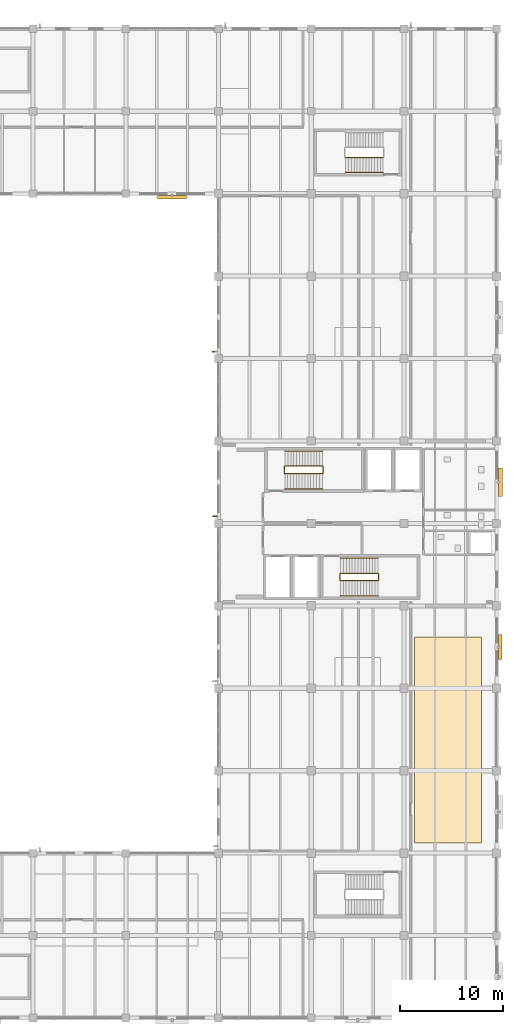
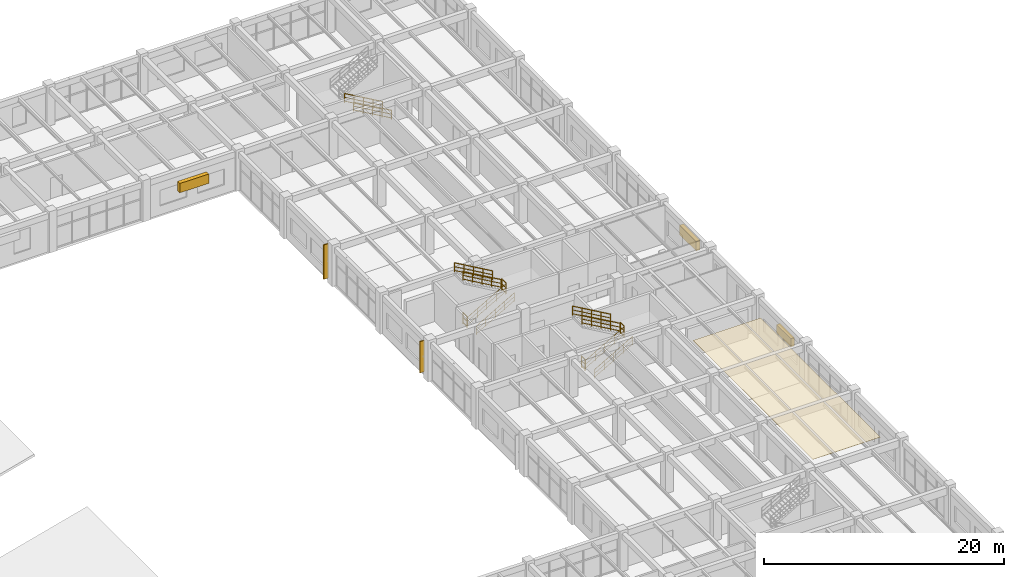
# One storey, part 146 of 148: 14 railings, 5 shading devices, 1 covering.
"""IFC4 building model written with IfcOpenShell, lengths in metres."""

from ifc_helpers import new_model, si_unit, derived_unit, direction, frame, origin, origin_2d, place, context, subcontext, project, spatial, polyline, rectangle, circle, outline, extrude, material, layer, layer_set, type_object, element, save


model = new_model("IFC4")

# Units and contexts
model_context = context("Model", 3, precision=1e-05, world=origin(), true_north=direction((0.0, 1.0)))
body_context = subcontext(model_context, "Body", "Model", "MODEL_VIEW")
ifc_project = project(units=[si_unit("LENGTHUNIT", "METRE"), si_unit("AREAUNIT", "SQUARE_METRE"), si_unit("VOLUMEUNIT", "CUBIC_METRE"), si_unit("PLANEANGLEUNIT", "RADIAN"), si_unit("MASSUNIT", "GRAM", prefix="KILO"), derived_unit("THERMALTRANSMITTANCEUNIT", [(si_unit("MASSUNIT", "GRAM", prefix="KILO"), 1), (si_unit("TIMEUNIT", "SECOND"), -3), (si_unit("THERMODYNAMICTEMPERATUREUNIT", "KELVIN"), -1)])], contexts=[model_context])

# Site, building, storey
site_placement = place(None, origin())
site = spatial("IfcSite", under=ifc_project, at=site_placement, CompositionType="ELEMENT")
building_placement = place(site_placement, origin())
building = spatial("IfcBuilding", under=site, at=building_placement, Name="Zhenchuan Archway Interchange", CompositionType="ELEMENT")
storey_placement = place(building_placement, frame((0.0, 0.0, 10.199951171875)))
storey = spatial("IfcBuildingStorey", under=building, at=storey_placement, Name="L02", CompositionType="ELEMENT", Elevation=10.199951171875)

# Covering
ifc_material_1 = material(Name="Anodised Aluminium", Category="aluminium")
ifc_layer = layer(ifc_material_1, 0.02490234375)
ifc_layer_set = layer_set([ifc_layer], Name="Anodised Aluminium")
covering_type = type_object("IfcCoveringType", Name="COV_CLG_ACOUSTIC", PredefinedType="CEILING", material=ifc_layer_set)
covering_placement = place(storey_placement, frame((0.0, 0.0, 3.864990234375)))
element("IfcCovering", 1, at=covering_placement, inside=storey, type_object=covering_type, Name="Suspended acoustic ceiling grid 04 (L02)", PredefinedType="CEILING", context=body_context, shape_type="SweptSolid", body=[
    extrude(outline(polyline([(163.0, 25.0), (169.5, 25.0), (169.5, 45.0), (163.0, 45.0), (163.0, 25.0)])), origin(), (0.0, 0.0, 1.0), 0.025146484375),
])

# Railings
ifc_material_2 = material(Name="Painted Galvanised Steel", Category="steel")
railing_type_1 = type_object("IfcRailingType", Name="RL_GUARD_1150", PredefinedType="GUARDRAIL", material=ifc_material_2)
for number, where, name in (
    (2, (154.125, 60.864990234375, 2.10009765625), "Stair ST-O1 half-landing slot guard (L02)"),
    (3, (150.385009765625, 60.864990234375, 0.0), "Stair ST-O1 floor well guard (L02)"),
):
    element("IfcRailing", number, at=place(storey_placement, frame(where)), inside=storey, type_object=railing_type_1, Name=name, PredefinedType="GUARDRAIL", context=body_context, shape_type="SweptSolid", body=[
        extrude(circle(Radius=0.02392578125, at=origin_2d()), frame((0.0, 0.0, 1.1259765625), z_axis=(0.0, 1.0, 0.0), x_axis=(-1.0, 0.0, 0.0)), (0.0, 0.0, 1.0), 0.669921875),
        extrude(circle(Radius=0.01611328125, at=origin_2d()), frame((0.0, 0.0, 0.63232421875), z_axis=(0.0, 1.0, 0.0), x_axis=(-1.0, 0.0, 0.0)), (0.0, 0.0, 1.0), 0.669921875),
        extrude(circle(Radius=0.01611328125, at=origin_2d()), frame((0.0, 0.0, 0.1201171875), z_axis=(0.0, 1.0, 0.0), x_axis=(-1.0, 0.0, 0.0)), (0.0, 0.0, 1.0), 0.669921875),
        extrude(circle(Radius=0.02099609375, at=origin_2d()), origin(), (0.0, 0.0, 1.0), 1.1259765625),
        extrude(circle(Radius=0.02099609375, at=origin_2d()), frame((0.0, 0.669921875, 0.0)), (0.0, 0.0, 1.0), 1.1259765625),
    ])
for number, where, name in (
    (4, (159.52490234375, 50.514892578125, 2.10009765625), "Stair ST-O2 half-landing slot guard (L02)"),
    (5, (155.784912109375, 50.514892578125, 0.0), "Stair ST-O2 floor well guard (L02)"),
):
    element("IfcRailing", number, at=place(storey_placement, frame(where)), inside=storey, type_object=railing_type_1, Name=name, PredefinedType="GUARDRAIL", context=body_context, shape_type="SweptSolid", body=[
        extrude(circle(Radius=0.02392578125, at=origin_2d()), frame((0.0, 0.0, 1.1259765625), z_axis=(0.0, 1.0, 0.0), x_axis=(-1.0, 0.0, 0.0)), (0.0, 0.0, 1.0), 0.570068359375),
        extrude(circle(Radius=0.01611328125, at=origin_2d()), frame((0.0, 0.0, 0.63232421875), z_axis=(0.0, 1.0, 0.0), x_axis=(-1.0, 0.0, 0.0)), (0.0, 0.0, 1.0), 0.570068359375),
        extrude(circle(Radius=0.01611328125, at=origin_2d()), frame((0.0, 0.0, 0.1201171875), z_axis=(0.0, 1.0, 0.0), x_axis=(-1.0, 0.0, 0.0)), (0.0, 0.0, 1.0), 0.570068359375),
        extrude(circle(Radius=0.02099609375, at=origin_2d()), origin(), (0.0, 0.0, 1.0), 1.1259765625),
        extrude(circle(Radius=0.02099609375, at=origin_2d()), frame((0.0, 0.570068359375, 0.0)), (0.0, 0.0, 1.0), 1.1259765625),
    ])
ifc_material_3 = material(Name="Stainless Steel 304", Category="steel")
railing_type_2 = type_object("IfcRailingType", Name="RL_HAND_920", PredefinedType="HANDRAIL", material=ifc_material_3)
for number, where, name in (
    (6, (150.425048828125, 59.35498046875, 0.150146484375), "Stair ST-O1 handrail 1 (L02)"),
    (7, (150.425048828125, 60.824951171875, 0.150146484375), "Stair ST-O1 handrail 2 (L02)"),
):
    element("IfcRailing", number, at=place(storey_placement, frame(where)), inside=storey, type_object=railing_type_2, Name=name, PredefinedType="HANDRAIL", context=body_context, shape_type="SweptSolid", body=[
        extrude(circle(Radius=0.02392578125, at=origin_2d()), frame((0.0, 0.0, 0.89599609375), z_axis=(0.867376594967, 0.0, 0.497652330953), x_axis=(0.0, 1.0, 0.0)), (0.0, 0.0, 1.0), 4.219482421875),
        extrude(circle(Radius=0.01611328125, at=origin_2d()), frame((0.0, 0.0, 0.505859375), z_axis=(0.867376594967, 0.0, 0.497652330953), x_axis=(0.0, 1.0, 0.0)), (0.0, 0.0, 1.0), 4.219482421875),
        extrude(circle(Radius=0.01611328125, at=origin_2d()), frame((0.0, 0.0, 0.1201171875), z_axis=(0.867376594967, 0.0, 0.497652330953), x_axis=(0.0, 1.0, 0.0)), (0.0, 0.0, 1.0), 4.219482421875),
        extrude(circle(Radius=0.02099609375, at=origin_2d()), origin(), (0.0, 0.0, 1.0), 0.89599609375),
        extrude(circle(Radius=0.02099609375, at=origin_2d()), frame((0.9150390625, 0.0, 0.52490234375)), (0.0, 0.0, 1.0), 0.89599609375),
        extrude(circle(Radius=0.02099609375, at=origin_2d()), frame((1.830078125, 0.0, 1.0498046875)), (0.0, 0.0, 1.0), 0.89599609375),
        extrude(circle(Radius=0.02099609375, at=origin_2d()), frame((2.744873046875, 0.0, 1.574951171875)), (0.0, 0.0, 1.0), 0.89599609375),
        extrude(circle(Radius=0.02099609375, at=origin_2d()), frame((3.659912109375, 0.0, 2.099853515625)), (0.0, 0.0, 1.0), 0.89599609375),
    ])
for number, where, name in (
    (8, (154.0849609375, 61.574951171875, 2.25), "Stair ST-O1 handrail 3 (L02)"),
    (9, (154.0849609375, 63.044921875, 2.25), "Stair ST-O1 handrail 4 (L02)"),
):
    element("IfcRailing", number, at=place(storey_placement, frame(where)), inside=storey, type_object=railing_type_2, Name=name, PredefinedType="HANDRAIL", context=body_context, shape_type="SweptSolid", body=[
        extrude(circle(Radius=0.02392578125, at=origin_2d()), frame((0.0, 0.0, 0.89599609375), z_axis=(-0.867351619287, 0.0, 0.497695859456), x_axis=(0.0, -1.0, 0.0)), (0.0, 0.0, 1.0), 4.2197265625),
        extrude(circle(Radius=0.01611328125, at=origin_2d()), frame((0.0, 0.0, 0.505859375), z_axis=(-0.867351619287, 0.0, 0.497695859456), x_axis=(0.0, -1.0, 0.0)), (0.0, 0.0, 1.0), 4.2197265625),
        extrude(circle(Radius=0.01611328125, at=origin_2d()), frame((0.0, 0.0, 0.1201171875), z_axis=(-0.867351619287, 0.0, 0.497695859456), x_axis=(0.0, -1.0, 0.0)), (0.0, 0.0, 1.0), 4.2197265625),
        extrude(circle(Radius=0.02099609375, at=origin_2d()), origin(), (0.0, 0.0, 1.0), 0.89599609375),
        extrude(circle(Radius=0.02099609375, at=origin_2d()), frame((-0.9150390625, 0.0, 0.52490234375)), (0.0, 0.0, 1.0), 0.89599609375),
        extrude(circle(Radius=0.02099609375, at=origin_2d()), frame((-1.830078125, 0.0, 1.050048828125)), (0.0, 0.0, 1.0), 0.89599609375),
        extrude(circle(Radius=0.02099609375, at=origin_2d()), frame((-2.744873046875, 0.0, 1.5751953125)), (0.0, 0.0, 1.0), 0.89599609375),
        extrude(circle(Radius=0.02099609375, at=origin_2d()), frame((-3.659912109375, 0.0, 2.10009765625)), (0.0, 0.0, 1.0), 0.89599609375),
    ])
for number, where, name in (
    (10, (155.824951171875, 48.955078125, 0.150146484375), "Stair ST-O2 handrail 1 (L02)"),
    (11, (155.824951171875, 50.47509765625, 0.150146484375), "Stair ST-O2 handrail 2 (L02)"),
):
    element("IfcRailing", number, at=place(storey_placement, frame(where)), inside=storey, type_object=railing_type_2, Name=name, PredefinedType="HANDRAIL", context=body_context, shape_type="SweptSolid", body=[
        extrude(circle(Radius=0.02392578125, at=origin_2d()), frame((0.0, 0.0, 0.89599609375), z_axis=(0.867390923327, 0.0, 0.497627356693), x_axis=(0.0, 1.0, 0.0)), (0.0, 0.0, 1.0), 4.2197265625),
        extrude(circle(Radius=0.01611328125, at=origin_2d()), frame((0.0, 0.0, 0.505859375), z_axis=(0.867390923327, 0.0, 0.497627356693), x_axis=(0.0, 1.0, 0.0)), (0.0, 0.0, 1.0), 4.2197265625),
        extrude(circle(Radius=0.01611328125, at=origin_2d()), frame((0.0, 0.0, 0.1201171875), z_axis=(0.867390923327, 0.0, 0.497627356693), x_axis=(0.0, 1.0, 0.0)), (0.0, 0.0, 1.0), 4.2197265625),
        extrude(circle(Radius=0.02099609375, at=origin_2d()), origin(), (0.0, 0.0, 1.0), 0.89599609375),
        extrude(circle(Radius=0.02099609375, at=origin_2d()), frame((0.9150390625, 0.0, 0.52490234375)), (0.0, 0.0, 1.0), 0.89599609375),
        extrude(circle(Radius=0.02099609375, at=origin_2d()), frame((1.830078125, 0.0, 1.0498046875)), (0.0, 0.0, 1.0), 0.89599609375),
        extrude(circle(Radius=0.02099609375, at=origin_2d()), frame((2.7451171875, 0.0, 1.574951171875)), (0.0, 0.0, 1.0), 0.89599609375),
        extrude(circle(Radius=0.02099609375, at=origin_2d()), frame((3.66015625, 0.0, 2.099853515625)), (0.0, 0.0, 1.0), 0.89599609375),
    ])
for number, where, name in (
    (12, (159.485107421875, 51.125, 2.25), "Stair ST-O2 handrail 3 (L02)"),
    (13, (159.485107421875, 52.64501953125, 2.25), "Stair ST-O2 handrail 4 (L02)"),
):
    element("IfcRailing", number, at=place(storey_placement, frame(where)), inside=storey, type_object=railing_type_2, Name=name, PredefinedType="HANDRAIL", context=body_context, shape_type="SweptSolid", body=[
        extrude(circle(Radius=0.02392578125, at=origin_2d()), frame((0.0, 0.0, 0.89599609375), z_axis=(-0.867365949741, 0.0, 0.49767088445), x_axis=(0.0, -1.0, 0.0)), (0.0, 0.0, 1.0), 4.219970703125),
        extrude(circle(Radius=0.01611328125, at=origin_2d()), frame((0.0, 0.0, 0.505859375), z_axis=(-0.867365949741, 0.0, 0.49767088445), x_axis=(0.0, -1.0, 0.0)), (0.0, 0.0, 1.0), 4.219970703125),
        extrude(circle(Radius=0.01611328125, at=origin_2d()), frame((0.0, 0.0, 0.1201171875), z_axis=(-0.867365949741, 0.0, 0.49767088445), x_axis=(0.0, -1.0, 0.0)), (0.0, 0.0, 1.0), 4.219970703125),
        extrude(circle(Radius=0.02099609375, at=origin_2d()), origin(), (0.0, 0.0, 1.0), 0.89599609375),
        extrude(circle(Radius=0.02099609375, at=origin_2d()), frame((-0.9150390625, 0.0, 0.52490234375)), (0.0, 0.0, 1.0), 0.89599609375),
        extrude(circle(Radius=0.02099609375, at=origin_2d()), frame((-1.830078125, 0.0, 1.050048828125)), (0.0, 0.0, 1.0), 0.89599609375),
        extrude(circle(Radius=0.02099609375, at=origin_2d()), frame((-2.7451171875, 0.0, 1.5751953125)), (0.0, 0.0, 1.0), 0.89599609375),
        extrude(circle(Radius=0.02099609375, at=origin_2d()), frame((-3.66015625, 0.0, 2.10009765625)), (0.0, 0.0, 1.0), 0.89599609375),
    ])
for number, where, name in (
    (14, (159.97509765625, 90.054931640625, 0.150146484375), "Stair ST-O3 handrail 1 (L02)"),
    (15, (159.97509765625, 91.52490234375, 0.150146484375), "Stair ST-O3 handrail 2 (L02)"),
):
    element("IfcRailing", number, at=place(storey_placement, frame(where)), inside=storey, type_object=railing_type_2, Name=name, PredefinedType="HANDRAIL", context=body_context, shape_type="SweptSolid", body=[
        extrude(circle(Radius=0.02392578125, at=origin_2d()), frame((0.0, 0.0, 0.89599609375), z_axis=(-0.867390923327, 0.0, 0.497627356693), x_axis=(0.0, -1.0, 0.0)), (0.0, 0.0, 1.0), 4.2197265625),
        extrude(circle(Radius=0.01611328125, at=origin_2d()), frame((0.0, 0.0, 0.505859375), z_axis=(-0.867390923327, 0.0, 0.497627356693), x_axis=(0.0, -1.0, 0.0)), (0.0, 0.0, 1.0), 4.2197265625),
        extrude(circle(Radius=0.01611328125, at=origin_2d()), frame((0.0, 0.0, 0.1201171875), z_axis=(-0.867390923327, 0.0, 0.497627356693), x_axis=(0.0, -1.0, 0.0)), (0.0, 0.0, 1.0), 4.2197265625),
        extrude(circle(Radius=0.02099609375, at=origin_2d()), origin(), (0.0, 0.0, 1.0), 0.89599609375),
        extrude(circle(Radius=0.02099609375, at=origin_2d()), frame((-0.9150390625, 0.0, 0.52490234375)), (0.0, 0.0, 1.0), 0.89599609375),
        extrude(circle(Radius=0.02099609375, at=origin_2d()), frame((-1.830078125, 0.0, 1.0498046875)), (0.0, 0.0, 1.0), 0.89599609375),
        extrude(circle(Radius=0.02099609375, at=origin_2d()), frame((-2.7451171875, 0.0, 1.574951171875)), (0.0, 0.0, 1.0), 0.89599609375),
        extrude(circle(Radius=0.02099609375, at=origin_2d()), frame((-3.66015625, 0.0, 2.099853515625)), (0.0, 0.0, 1.0), 0.89599609375),
    ])

# Shading devices
ifc_material_4 = material(Name="Terracotta Ceramic", Category="masonry")
shading_device_type_1 = type_object("IfcShadingDeviceType", Name="SHD_FIN_1", PredefinedType="USERDEFINED", material=ifc_material_4)
shading_device_1_placement = place(storey_placement, frame((143.635986328125, 56.677978515625, 0.35009765625), z_axis=(0.0, 0.0, 1.0), x_axis=(0.0, 1.0, 0.0)))
element("IfcShadingDevice", 16, at=shading_device_1_placement, inside=storey, type_object=shading_device_type_1, Name="Terracotta vertical solar fin L02-102", ObjectType="FINS", PredefinedType="USERDEFINED", context=body_context, shape_type="SweptSolid", body=[
    extrude(rectangle(XDim=0.090087890625, YDim=0.419921875, at=origin_2d()), origin(), (0.0, 0.0, 1.0), 3.199951171875),
])
shading_device_type_2 = type_object("IfcShadingDeviceType", Name="SHD_FIN_3", PredefinedType="USERDEFINED", material=ifc_material_4)
shading_device_2_placement = place(storey_placement, frame((143.615966796875, 72.677978515625, 0.199951171875), z_axis=(0.0, 0.0, 1.0), x_axis=(0.0, 1.0, 0.0)))
element("IfcShadingDevice", 17, at=shading_device_2_placement, inside=storey, type_object=shading_device_type_2, Name="Terracotta vertical solar fin L02-080", ObjectType="FINS", PredefinedType="USERDEFINED", context=body_context, shape_type="SweptSolid", body=[
    extrude(rectangle(XDim=0.10009765625, YDim=0.4599609375, at=origin_2d()), origin(), (0.0, 0.0, 1.0), 3.5),
])
shading_device_type_3 = type_object("IfcShadingDeviceType", Name="SHD_LOUVRE_1", PredefinedType="JALOUSIE", material=ifc_material_1)
for number, where, z_axis, x_axis, name in (
    (18, (139.487548828125, 87.656005859375, 1.875), (0.0, 0.0, 1.0), (-1.0, 0.0, 0.0), "Monsoon storm-louvre jalousie L02-081"),
    (19, (171.343994140625, 60.0, 1.875), (0.0, 0.0, 1.0), (0.0, -1.0, 0.0), "Monsoon storm-louvre jalousie L02-090"),
):
    element("IfcShadingDevice", number, at=place(storey_placement, frame(where, z_axis=z_axis, x_axis=x_axis)), inside=storey, type_object=shading_device_type_3, Name=name, PredefinedType="JALOUSIE", context=body_context, shape_type="SweptSolid", body=[
        extrude(rectangle(XDim=2.800048828125, YDim=0.3798828125, at=origin_2d()), origin(), (0.0, 0.0, 1.0), 0.949951171875),
    ])
shading_device_type_4 = type_object("IfcShadingDeviceType", Name="SHD_LOUVRE_2", PredefinedType="JALOUSIE", material=ifc_material_1)
shading_device_3_placement = place(storey_placement, frame((171.323974609375, 44.0, 1.675048828125), z_axis=(0.0, 0.0, 1.0), x_axis=(0.0, -1.0, 0.0)))
element("IfcShadingDevice", 20, at=shading_device_3_placement, inside=storey, type_object=shading_device_type_4, Name="Monsoon storm-louvre jalousie L02-091", PredefinedType="JALOUSIE", context=body_context, shape_type="SweptSolid", body=[
    extrude(rectangle(XDim=2.39990234375, YDim=0.340087890625, at=origin_2d()), origin(), (0.0, 0.0, 1.0), 0.85009765625),
])

save(model, "model.ifc")
